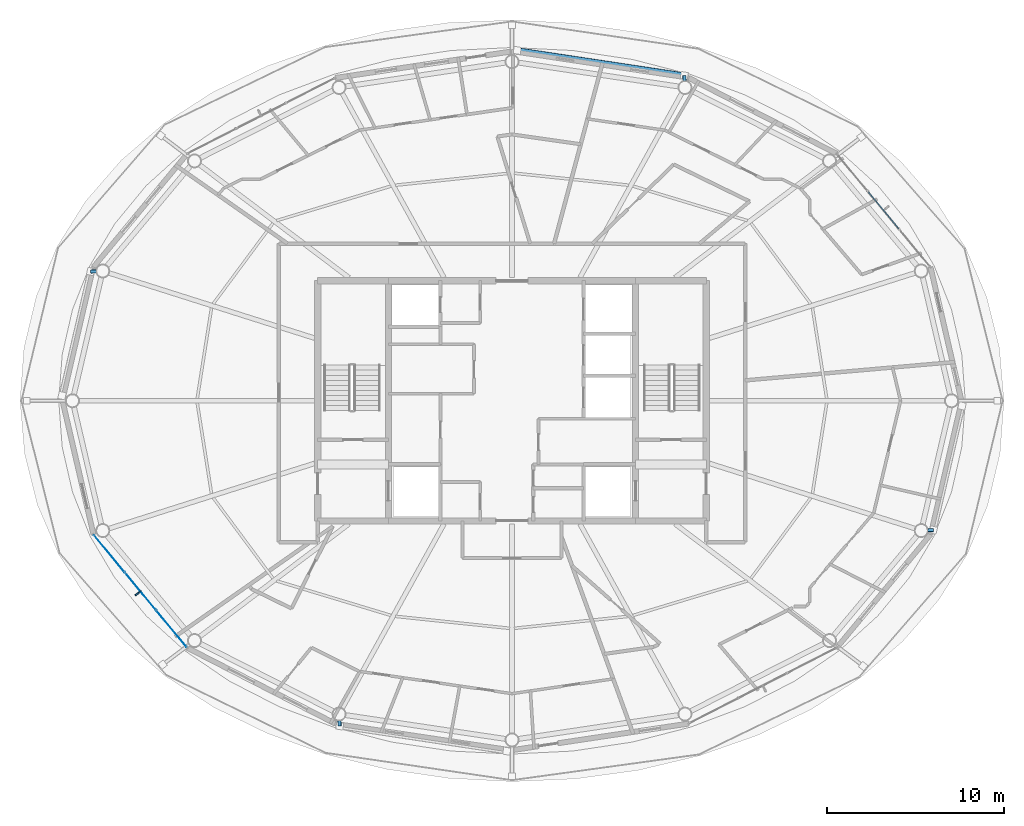
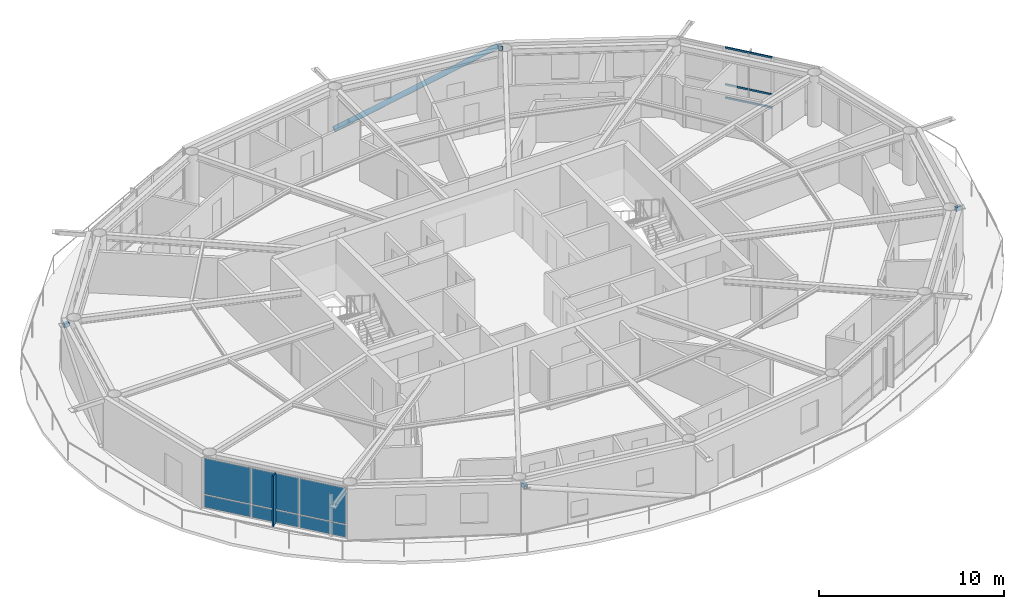
# One storey, part 12 of 23: 8 members, 7 plates, 2 elements without a shape of their own.
"""IFC4 building model written with IfcOpenShell, lengths in metres."""

import ifcopenshell
import ifcopenshell.guid

model = None  # the IFC model being written
_history = None  # IfcOwnerHistory: only IFC2X3 demands one
_inside = {}  # id of a spatial element -> (the spatial element, [elements in it])
_under = {}  # id of a project, library or spatial element -> (it, [spatial elements below it])
_declared = {}  # id of a project -> (the project, [libraries it declares])
_typed = {}  # id of a type object -> (the type object, [elements of that type])
_made_of = {}  # id of a material, layer set ... -> (it, [elements and type objects made of it])


def new_model(schema):
    """Start an empty IFC model of exactly this schema.

    Asked for "IFC4X3", IfcOpenShell would pick the latest addendum, in which some entities
    have other attributes; the version numbers below select the first issue.
    IFC2X3 requires an IfcOwnerHistory on every rooted entity: one is made here for all.
    """
    global model, _history
    if schema == "IFC4X3":
        model = ifcopenshell.file(schema_version=(4, 3, 0, 0))
    else:
        model = ifcopenshell.file(schema=schema)
    _inside.clear()
    _under.clear()
    _declared.clear()
    _typed.clear()
    _made_of.clear()
    _history = None
    if model.schema == "IFC2X3":
        org = make("IfcOrganization", Name="unknown")
        user = make(
            "IfcPersonAndOrganization",
            ThePerson=make("IfcPerson", FamilyName="unknown"),
            TheOrganization=org,
        )
        app = make(
            "IfcApplication",
            ApplicationDeveloper=org,
            Version="unknown",
            ApplicationFullName="unknown",
            ApplicationIdentifier="unknown",
        )
        _history = make(
            "IfcOwnerHistory",
            OwningUser=user,
            OwningApplication=app,
            ChangeAction="ADDED",
            CreationDate=0,
        )
    return model


def make(cls, **values):
    """One entity of the class cls with the attributes given. An attribute that is None is left unset."""
    return model.create_entity(
        cls, **{name: value for name, value in values.items() if value is not None}
    )


def rooted(cls, **values):
    """An entity with a GlobalId (a new one), such as an element, a storey or a relation."""
    return make(cls, GlobalId=ifcopenshell.guid.new(), OwnerHistory=_history, **values)


def si_unit(unit_type, name, prefix=None):
    """IfcSIUnit, for example si_unit("LENGTHUNIT", "METRE", prefix="MILLI")."""
    return make("IfcSIUnit", UnitType=unit_type, Prefix=prefix, Name=name)


def assignment(units):
    """IfcUnitAssignment: the units of a project."""
    return None if units is None else make("IfcUnitAssignment", Units=units)


def point(xyz):
    """IfcCartesianPoint."""
    return None if xyz is None else make("IfcCartesianPoint", Coordinates=xyz)


def direction(xyz):
    """IfcDirection."""
    return None if xyz is None else make("IfcDirection", DirectionRatios=xyz)


def frame(location, z_axis=None, x_axis=None):
    """IfcAxis2Placement3D, a coordinate frame: its origin and axes. An axis left out is left unset."""
    return make(
        "IfcAxis2Placement3D",
        Location=point(location),
        Axis=direction(z_axis),
        RefDirection=direction(x_axis),
    )


def frame_2d(location, x_axis=None):
    """IfcAxis2Placement2D, a coordinate frame in the plane: its origin and x axis."""
    return make(
        "IfcAxis2Placement2D", Location=point(location), RefDirection=direction(x_axis)
    )


def origin():
    """The frame at (0, 0, 0) with its axes left unset."""
    return frame((0.0, 0.0, 0.0))


def origin_2d():
    """The frame at (0, 0) in the plane with its x axis left unset."""
    return frame_2d((0.0, 0.0))


def place(relative_to, where):
    """IfcLocalPlacement: puts the frame where relative to a parent placement (None: the world)."""
    return make(
        "IfcLocalPlacement", PlacementRelTo=relative_to, RelativePlacement=where
    )


def context(
    kind, dimensions, precision=None, world=None, true_north=None, identifier=None
):
    """IfcGeometricRepresentationContext, for example the 3D "Model" context."""
    return make(
        "IfcGeometricRepresentationContext",
        ContextIdentifier=identifier,
        ContextType=kind,
        CoordinateSpaceDimension=dimensions,
        Precision=precision,
        WorldCoordinateSystem=world,
        TrueNorth=true_north,
    )


def subcontext(parent, identifier, kind, view, scale=None):
    """IfcGeometricRepresentationSubContext, for example "Body" below "Model"."""
    return make(
        "IfcGeometricRepresentationSubContext",
        ContextIdentifier=identifier,
        ContextType=kind,
        ParentContext=parent,
        TargetScale=scale,
        TargetView=view,
    )


def project(units=None, contexts=None):
    """IfcProject with its units and contexts."""
    return rooted(
        "IfcProject",
        Name="project",
        RepresentationContexts=contexts,
        UnitsInContext=assignment(units),
    )


def spatial(cls, under=None, at=None, **own):
    """A site, building, storey or space (cls), placed at a placement, below another one or the project."""
    s = rooted(cls, ObjectPlacement=at, **own)
    if under is not None:
        _under.setdefault(under.id(), (under, []))[1].append(s)
    return s


def profile(cls, at=None, kind="AREA", **sizes):
    """A parametric profile (cls). Its sizes go by their IFC names, for example OverallWidth=200.0."""
    return make(cls, ProfileType=kind, Position=at, **sizes)


def rectangle(**sizes):
    """IfcRectangleProfileDef."""
    return profile("IfcRectangleProfileDef", **sizes)


def hollow_rectangle(**sizes):
    """IfcRectangleHollowProfileDef."""
    return profile("IfcRectangleHollowProfileDef", **sizes)


def hollow_circle(**sizes):
    """IfcCircleHollowProfileDef."""
    return profile("IfcCircleHollowProfileDef", **sizes)


def extrude(swept, where, along, depth):
    """IfcExtrudedAreaSolid: the profile swept, set in the frame where, extruded along a direction by depth."""
    return make(
        "IfcExtrudedAreaSolid",
        SweptArea=swept,
        Position=where,
        ExtrudedDirection=direction(along),
        Depth=depth,
    )


def shape(context_of_items, identifier, shape_type, items):
    """IfcShapeRepresentation: the items that make up one representation, for example the "Body"."""
    return make(
        "IfcShapeRepresentation",
        ContextOfItems=context_of_items,
        RepresentationIdentifier=identifier,
        RepresentationType=shape_type,
        Items=items,
    )


def material(Name=None, Category=None):
    """IfcMaterial."""
    return make("IfcMaterial", Name=Name, Category=Category)


def layer(
    of_material, thickness, ventilated=None, Name=None, Category=None, Priority=None
):
    """IfcMaterialLayer: one layer of a wall or slab, of a material (None: an air gap)."""
    return make(
        "IfcMaterialLayer",
        Material=of_material,
        LayerThickness=thickness,
        IsVentilated=ventilated,
        Name=Name,
        Category=Category,
        Priority=Priority,
    )


def layer_set(layers, Name=None):
    """IfcMaterialLayerSet."""
    return make("IfcMaterialLayerSet", MaterialLayers=layers, LayerSetName=Name)


def material_profile(
    of_material, cross_section, Name=None, Category=None, Priority=None
):
    """IfcMaterialProfile: a cross section and its material."""
    return make(
        "IfcMaterialProfile",
        Name=Name,
        Material=of_material,
        Profile=cross_section,
        Priority=Priority,
        Category=Category,
    )


def profile_set(profiles, Name=None, composite=None):
    """IfcMaterialProfileSet."""
    return make(
        "IfcMaterialProfileSet",
        Name=Name,
        MaterialProfiles=profiles,
        CompositeProfile=composite,
    )


def made_of(thing, what):
    """Note that an element or type object is made of a material, layer set ...; save() writes the relation."""
    if what is not None:
        _made_of.setdefault(what.id(), (what, []))[1].append(thing)
    return thing


def type_object(cls, material=None, **own):
    """A type object (cls), such as IfcWallType, which elements share."""
    return made_of(rooted(cls, **own), material)


def element(
    cls,
    number,
    at=None,
    inside=None,
    cuts=None,
    type_object=None,
    material=None,
    context=None,
    identifier="Body",
    shape_type=None,
    held_by="IfcProductDefinitionShape",
    body=None,
    shapes=None,
    **own,
):
    """One element of the class cls, such as IfcWall. Its Tag is "e" and its number.

    at: its placement. inside: the storey or other place that contains it. cuts: it is an
    opening in that element (IfcRelVoidsElement). A single representation is given by context,
    identifier, shape_type and body (its items); several are given by shapes. held_by: the class
    of the entity that holds the representations. save() writes the other relations.
    """
    e = rooted(cls, Tag="e%d" % number, ObjectPlacement=at, **own)
    if body is not None:
        shapes = [shape(context, identifier, shape_type, body)]
    if shapes is not None:
        e.Representation = make(held_by, Representations=shapes)
    if inside is not None:
        _inside.setdefault(inside.id(), (inside, []))[1].append(e)
    if cuts is not None:
        rooted(
            "IfcRelVoidsElement", RelatingBuildingElement=cuts, RelatedOpeningElement=e
        )
    if type_object is not None:
        _typed.setdefault(type_object.id(), (type_object, []))[1].append(e)
    return made_of(e, material)


def aggregate(whole, parts):
    """IfcRelAggregates: a whole, such as a stair, and the parts it consists of."""
    return rooted("IfcRelAggregates", RelatingObject=whole, RelatedObjects=parts)


def save(model, path):
    """Write the relations noted so far, then the file.

    IfcRelAggregates (storeys below a building ...), IfcRelContainedInSpatialStructure (elements
    in a storey), IfcRelDefinesByType, IfcRelAssociatesMaterial and IfcRelDeclares: one each for
    every whole, place, type object, material and project.
    """
    for whole, parts in _under.values():
        aggregate(whole, parts)
    for where, things in _inside.values():
        rooted(
            "IfcRelContainedInSpatialStructure",
            RelatedElements=things,
            RelatingStructure=where,
        )
    for kind, things in _typed.values():
        rooted("IfcRelDefinesByType", RelatedObjects=things, RelatingType=kind)
    for what, things in _made_of.values():
        rooted("IfcRelAssociatesMaterial", RelatedObjects=things, RelatingMaterial=what)
    for by, libraries in _declared.values():
        rooted("IfcRelDeclares", RelatingContext=by, RelatedDefinitions=libraries)
    model.write(path)


model = new_model("IFC4")

# Units and contexts
model_context = context("Model", 3, precision=1e-05, world=origin(), true_north=direction((0.0, 1.0)))
body_context = subcontext(model_context, "Body", "Model", "MODEL_VIEW")
ifc_project = project(units=[si_unit("LENGTHUNIT", "METRE"), si_unit("AREAUNIT", "SQUARE_METRE"), si_unit("VOLUMEUNIT", "CUBIC_METRE"), si_unit("PLANEANGLEUNIT", "RADIAN"), si_unit("MASSUNIT", "GRAM", prefix="KILO")], contexts=[model_context])

# Site, building, storey
site_placement = place(None, origin())
site = spatial("IfcSite", under=ifc_project, at=site_placement, CompositionType="ELEMENT")
building_placement = place(site_placement, origin())
building = spatial("IfcBuilding", under=site, at=building_placement, Name="Sarneth Arch Tower", CompositionType="ELEMENT")
storey_placement = place(building_placement, frame((0.0, 0.0, 276.60009765625)))
storey = spatial("IfcBuildingStorey", under=building, at=storey_placement, Name="L71", CompositionType="ELEMENT", Elevation=276.60009765625)

# Curtain wall, members
ifc_material_1 = material(Name="Anodised aluminium Type AA25 and solar-control low-e laminated IGU", Category="aluminium")
ifc_layer_1 = layer(ifc_material_1, 0.179931640625)
ifc_layer_set_1 = layer_set([ifc_layer_1], Name="Anodised aluminium Type AA25 and solar-control low-e laminated IGU")
curtain_wall_type = type_object("IfcCurtainWallType", Name="CW-RES-HIGH", PredefinedType="NOTDEFINED", material=ifc_layer_set_1)
curtain_wall_1_placement = place(storey_placement, origin())
curtain_wall_1 = element("IfcCurtainWall", 1, at=curtain_wall_1_placement, inside=storey, type_object=curtain_wall_type, Name="L71 Unitised curtain wall facet 02", PredefinedType="NOTDEFINED")
ifc_material_2 = material(Name="Anodised Aluminium 6063-T6", Category="aluminium")
ifc_material_profile_1 = material_profile(ifc_material_2, hollow_rectangle(XDim=0.06005859375, YDim=0.1201171875, WallThickness=0.00390625, at=origin_2d()), Name="AL-TRAN-120x60x4")
ifc_profile_set_1 = profile_set([ifc_material_profile_1], Name="Anodised Aluminium 6063-T6")
member_type_1 = type_object("IfcMemberType", Name="CW-TRANSOM", PredefinedType="USERDEFINED", material=ifc_profile_set_1)
member_1_placement = place(storey_placement, frame((69.904296875, 51.731689453125, 0.02978515625), z_axis=(-0.637617371902, 0.770353222261, 0.0), x_axis=(-0.770353222261, -0.637617371902, 0.0)))
member_1 = element("IfcMember", 2, at=member_1_placement, type_object=member_type_1, Name="CW-SYS-6 transom 2.1", ObjectType="TRANSOM", PredefinedType="USERDEFINED", context=body_context, shape_type="SweptSolid", body=[
    extrude(hollow_rectangle(XDim=0.06005859375, YDim=0.1201171875, WallThickness=0.00390625, at=origin_2d()), origin(), (0.0, 0.0, 1.0), 2.716552734375),
])
member_2_placement = place(storey_placement, frame((69.904296875, 51.731689453125, 0.89990234375), z_axis=(-0.637617371902, 0.770353222261, 0.0), x_axis=(-0.770353222261, -0.637617371902, 0.0)))
member_2 = element("IfcMember", 3, at=member_2_placement, type_object=member_type_1, Name="CW-SYS-6 transom 2.2", ObjectType="TRANSOM", PredefinedType="USERDEFINED", context=body_context, shape_type="SweptSolid", body=[
    extrude(hollow_rectangle(XDim=0.06005859375, YDim=0.1201171875, WallThickness=0.00390625, at=origin_2d()), origin(), (0.0, 0.0, 1.0), 2.716552734375),
])
member_3_placement = place(storey_placement, frame((69.904296875, 51.731689453125, 3.33984375), z_axis=(-0.637617371902, 0.770353222261, 0.0), x_axis=(-0.770353222261, -0.637617371902, 0.0)))
member_3 = element("IfcMember", 4, at=member_3_placement, type_object=member_type_1, Name="CW-SYS-6 transom 2.3", ObjectType="TRANSOM", PredefinedType="USERDEFINED", context=body_context, shape_type="SweptSolid", body=[
    extrude(hollow_rectangle(XDim=0.06005859375, YDim=0.1201171875, WallThickness=0.00390625, at=origin_2d()), origin(), (0.0, 0.0, 1.0), 2.716552734375),
])
aggregate(curtain_wall_1, [member_1, member_2, member_3])

# Members
ifc_material_3 = material(Name="Steel S355", Category="steel")
ifc_material_profile_2 = material_profile(ifc_material_3, hollow_rectangle(XDim=0.199951171875, YDim=0.300048828125, WallThickness=0.012451171875, InnerFilletRadius=0.018798828125, OuterFilletRadius=0.03125, at=origin_2d()), Name="RHS300x200x12.5")
ifc_profile_set_2 = profile_set([ifc_material_profile_2], Name="Steel S355")
member_type_2 = type_object("IfcMemberType", Name="MEM-CANT-STRUT", PredefinedType="STRUT", material=ifc_profile_set_2)
member_4_placement = place(storey_placement, frame((57.772216796875, 60.080810546875, 3.092041015625), z_axis=(-0.054571440387, 0.998509868701, 0.0), x_axis=(-0.998509868701, -0.054571440387, 0.0)))
element("IfcMember", 5, at=member_4_placement, inside=storey, type_object=member_type_2, Name="L71 Exoskeleton brace node strut 04B", PredefinedType="STRUT", context=body_context, shape_type="SweptSolid", body=[
    extrude(hollow_rectangle(XDim=0.199951171875, YDim=0.300048828125, WallThickness=0.012451171875, InnerFilletRadius=0.018798828125, OuterFilletRadius=0.03125, at=origin_2d()), origin(), (0.0, 0.0, 1.0), 0.3310546875),
])
member_5_placement = place(storey_placement, frame((24.488525390625, 49.33154296875, 3.092041015625), z_axis=(-0.998881069959, -0.047292790974, 0.0), x_axis=(0.047292790974, -0.998881069959, 0.0)))
element("IfcMember", 6, at=member_5_placement, inside=storey, type_object=member_type_2, Name="L71 Exoskeleton brace node strut 08B", PredefinedType="STRUT", context=body_context, shape_type="SweptSolid", body=[
    extrude(hollow_rectangle(XDim=0.199951171875, YDim=0.300048828125, WallThickness=0.012451171875, InnerFilletRadius=0.018798828125, OuterFilletRadius=0.03125, at=origin_2d()), origin(), (0.0, 0.0, 1.0), 0.3408203125),
])
member_6_placement = place(storey_placement, frame((38.227783203125, 23.919189453125, 3.092041015625), z_axis=(0.054571440387, -0.998509868701, 0.0), x_axis=(0.998509868701, 0.054571440387, 0.0)))
element("IfcMember", 7, at=member_6_placement, inside=storey, type_object=member_type_2, Name="L71 Exoskeleton brace node strut 12B", PredefinedType="STRUT", context=body_context, shape_type="SweptSolid", body=[
    extrude(hollow_rectangle(XDim=0.199951171875, YDim=0.300048828125, WallThickness=0.012451171875, InnerFilletRadius=0.018798828125, OuterFilletRadius=0.03125, at=origin_2d()), origin(), (0.0, 0.0, 1.0), 0.3310546875),
])
member_7_placement = place(storey_placement, frame((71.511474609375, 34.66845703125, 3.092041015625), z_axis=(0.998881069959, 0.047292790974, 0.0), x_axis=(-0.047292790974, 0.998881069959, 0.0)))
element("IfcMember", 8, at=member_7_placement, inside=storey, type_object=member_type_2, Name="L71 Exoskeleton brace node strut 16B", PredefinedType="STRUT", context=body_context, shape_type="SweptSolid", body=[
    extrude(hollow_rectangle(XDim=0.199951171875, YDim=0.300048828125, WallThickness=0.012451171875, InnerFilletRadius=0.018798828125, OuterFilletRadius=0.03125, at=origin_2d()), origin(), (0.0, 0.0, 1.0), 0.3408203125),
])
ifc_material_4 = material(Name="Steel S355", Category="steel")
ifc_material_profile_3 = material_profile(ifc_material_4, hollow_circle(Radius=0.162109375, WallThickness=0.012451171875, at=origin_2d()), Name="CHS324x12.5")
ifc_profile_set_3 = profile_set([ifc_material_profile_3], Name="Steel S355")
member_type_3 = type_object("IfcMemberType", Name="MEM-DIAG-BR3", PredefinedType="BRACE", material=ifc_profile_set_3)
member_8_placement = place(storey_placement, frame((48.296630859375, 61.83544921875, 0.02001953125), z_axis=(0.941478053537, -0.141763681302, 0.305813886821), x_axis=(0.148897148305, 0.988852688335, 0.0)))
element("IfcMember", 9, at=member_8_placement, inside=storey, type_object=member_type_3, Name="L71 Perimeter frame diagonal 04", PredefinedType="BRACE", context=body_context, shape_type="SweptSolid", body=[
    extrude(hollow_circle(Radius=0.162109375, WallThickness=0.012451171875, at=origin_2d()), origin(), (0.0, 0.0, 1.0), 10.04541015625),
])

# Curtain wall, plates
curtain_wall_2_placement = place(storey_placement, origin())
curtain_wall_2 = element("IfcCurtainWall", 10, at=curtain_wall_2_placement, inside=storey, type_object=curtain_wall_type, Name="L71 Unitised curtain wall facet 10", PredefinedType="NOTDEFINED")
ifc_material_5 = material(Name="Solar-control low-e laminated IGU", Category="glass")
ifc_layer_2 = layer(ifc_material_5, 0.028076171875)
ifc_layer_set_2 = layer_set([ifc_layer_2], Name="Solar-control low-e laminated IGU")
plate_type_1 = type_object("IfcPlateType", Name="CW-PANEL", PredefinedType="CURTAIN_PANEL", material=ifc_layer_set_2)
plate_1_placement = place(storey_placement, frame((25.200927734375, 33.349365234375, 0.059814453125), z_axis=(0.0, 0.0, 1.0), x_axis=(0.637610094184, -0.770359245933, 0.0)))
plate_1 = element("IfcPlate", 11, at=plate_1_placement, type_object=plate_type_1, Name="Curtain wall glazed vision pane CW-L71-F10/P00-00", PredefinedType="CURTAIN_PANEL", context=body_context, shape_type="SweptSolid", body=[
    extrude(rectangle(XDim=2.686767578125, YDim=0.028076171875, at=origin_2d()), origin(), (0.0, 0.0, 1.0), 0.81005859375),
])
plate_2_placement = place(storey_placement, frame((25.200927734375, 33.349365234375, 0.929931640625), z_axis=(0.0, 0.0, 1.0), x_axis=(0.637610094184, -0.770359245933, 0.0)))
plate_2 = element("IfcPlate", 12, at=plate_2_placement, type_object=plate_type_1, Name="Curtain wall glazed vision pane CW-L71-F10/P00-01", PredefinedType="CURTAIN_PANEL", context=body_context, shape_type="SweptSolid", body=[
    extrude(rectangle(XDim=2.686767578125, YDim=0.028076171875, at=origin_2d()), origin(), (0.0, 0.0, 1.0), 2.3798828125),
])
plate_3_placement = place(storey_placement, frame((26.9619140625, 31.221923828125, 0.059814453125), z_axis=(0.0, 0.0, 1.0), x_axis=(0.637610094184, -0.770359245933, 0.0)))
plate_3 = element("IfcPlate", 13, at=plate_3_placement, type_object=plate_type_1, Name="Curtain wall glazed vision pane CW-L71-F10/P01-00", PredefinedType="CURTAIN_PANEL", context=body_context, shape_type="SweptSolid", body=[
    extrude(rectangle(XDim=2.716552734375, YDim=0.028076171875, at=origin_2d()), origin(), (0.0, 0.0, 1.0), 0.81005859375),
])
plate_4_placement = place(storey_placement, frame((26.9619140625, 31.221923828125, 0.929931640625), z_axis=(0.0, 0.0, 1.0), x_axis=(0.637610094184, -0.770359245933, 0.0)))
plate_4 = element("IfcPlate", 14, at=plate_4_placement, type_object=plate_type_1, Name="Curtain wall glazed vision pane CW-L71-F10/P01-01", PredefinedType="CURTAIN_PANEL", context=body_context, shape_type="SweptSolid", body=[
    extrude(rectangle(XDim=2.716552734375, YDim=0.028076171875, at=origin_2d()), origin(), (0.0, 0.0, 1.0), 2.3798828125),
])
plate_5_placement = place(storey_placement, frame((28.72265625, 29.094482421875, 0.059814453125), z_axis=(0.0, 0.0, 1.0), x_axis=(0.637610094184, -0.770359245933, 0.0)))
plate_5 = element("IfcPlate", 15, at=plate_5_placement, type_object=plate_type_1, Name="Curtain wall glazed vision pane CW-L71-F10/P02-00", PredefinedType="CURTAIN_PANEL", context=body_context, shape_type="SweptSolid", body=[
    extrude(rectangle(XDim=2.686767578125, YDim=0.028076171875, at=origin_2d()), origin(), (0.0, 0.0, 1.0), 0.81005859375),
])
plate_6_placement = place(storey_placement, frame((28.72265625, 29.094482421875, 0.929931640625), z_axis=(0.0, 0.0, 1.0), x_axis=(0.637610094184, -0.770359245933, 0.0)))
plate_6 = element("IfcPlate", 16, at=plate_6_placement, type_object=plate_type_1, Name="Curtain wall glazed vision pane CW-L71-F10/P02-01", PredefinedType="CURTAIN_PANEL", context=body_context, shape_type="SweptSolid", body=[
    extrude(rectangle(XDim=2.686767578125, YDim=0.028076171875, at=origin_2d()), origin(), (0.0, 0.0, 1.0), 2.3798828125),
])
aggregate(curtain_wall_2, [plate_1, plate_2, plate_3, plate_4, plate_5, plate_6])

# Plate
ifc_material_6 = material(Name="Extruded glazed terracotta baguette fin on Aluminium 6063-T6 carrier", Category="masonry")
ifc_layer_3 = layer(ifc_material_6, 0.080078125)
ifc_layer_set_3 = layer_set([ifc_layer_3], Name="Extruded glazed terracotta baguette fin on Aluminium 6063-T6 carrier")
plate_type_2 = type_object("IfcPlateType", Name="SHADE-TERRA-FIN", PredefinedType="SHEET", material=ifc_layer_set_3)
plate_7_placement = place(storey_placement, frame((26.830810546875, 31.113525390625, 0.009765625), z_axis=(0.0, 0.0, 1.0), x_axis=(-0.770401979567, -0.63755845997, 0.0)))
element("IfcPlate", 17, at=plate_7_placement, inside=storey, type_object=plate_type_2, Name="L71 Terracotta vertical shading fin 10", PredefinedType="SHEET", context=body_context, shape_type="SweptSolid", body=[
    extrude(rectangle(XDim=0.419921875, YDim=0.080078125, at=origin_2d()), origin(), (0.0, 0.0, 1.0), 3.35009765625),
])

save(model, "model.ifc")
